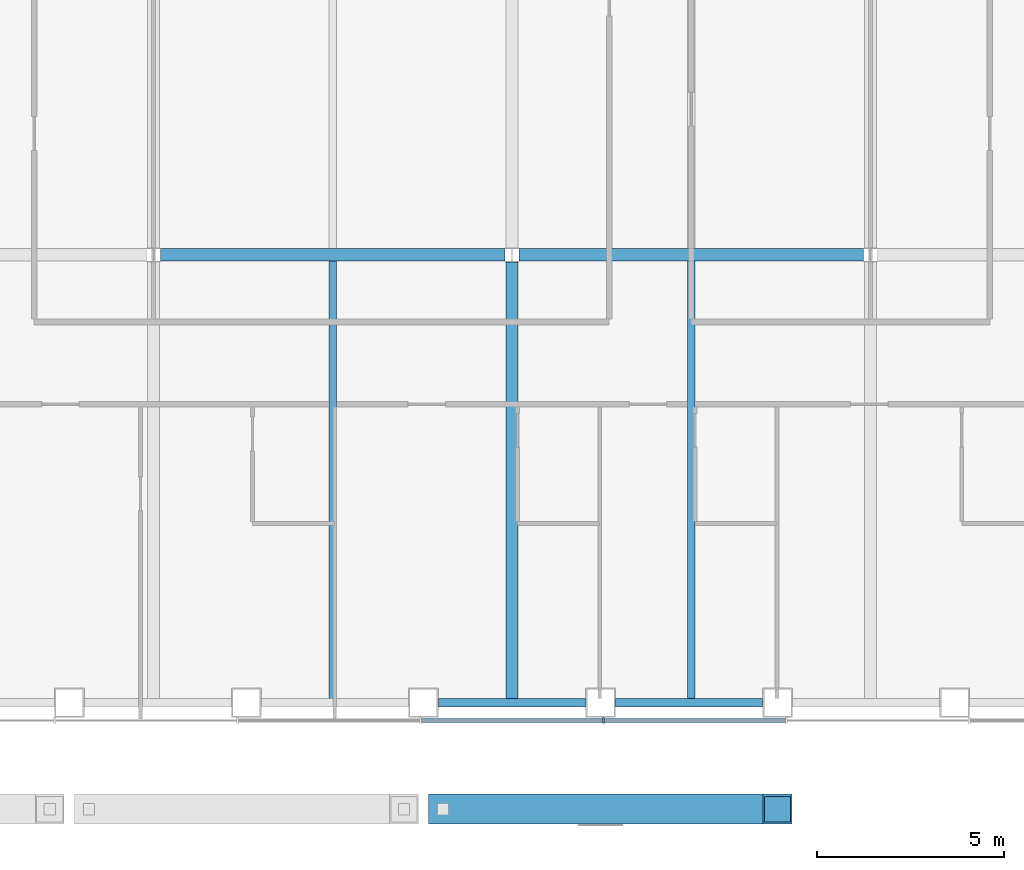
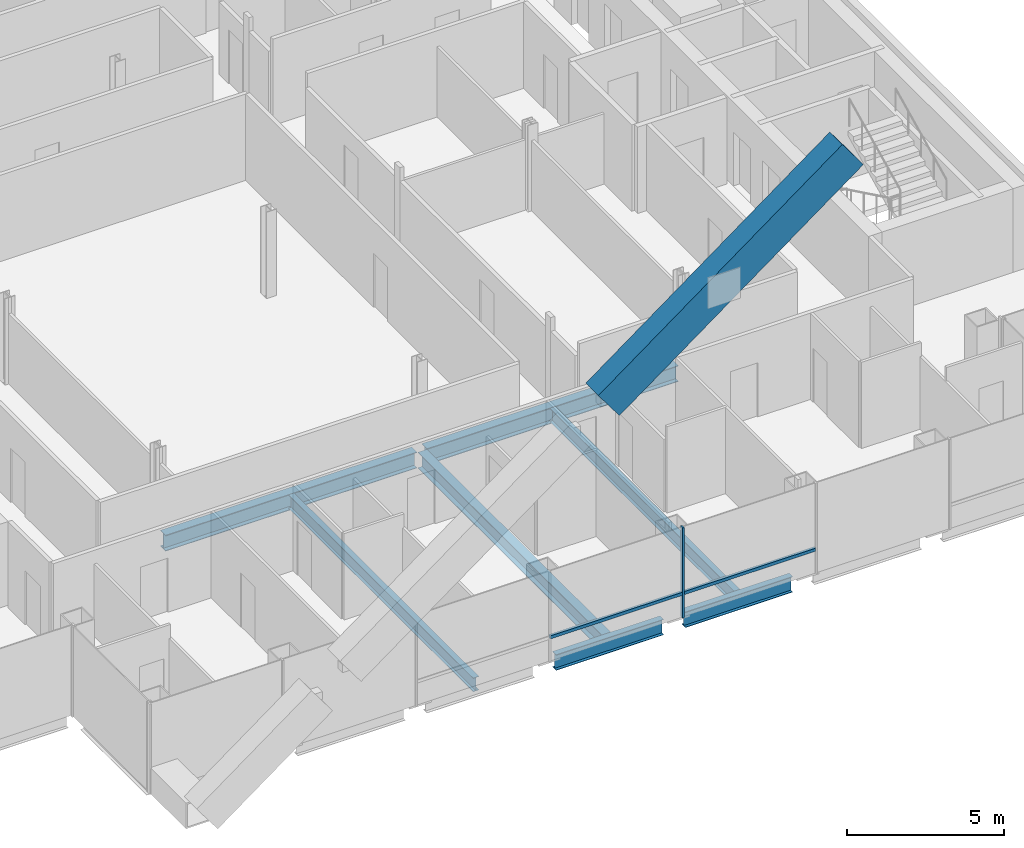
# One storey, part 4 of 18: 7 beams, 4 members, 1 element without a shape of its own.
"""IFC4 building model written with IfcOpenShell, lengths in metres."""

from ifc_helpers import new_model, si_unit, direction, frame, origin, origin_2d, place, context, subcontext, project, spatial, rectangle, hollow_rectangle, i_section, extrude, material, material_profile, profile_set, type_object, element, aggregate, save


model = new_model("IFC4")

# Units and contexts
model_context = context("Model", 3, precision=1e-05, world=origin(), true_north=direction((0.0, 1.0)))
body_context = subcontext(model_context, "Body", "Model", "MODEL_VIEW")
ifc_project = project(units=[si_unit("LENGTHUNIT", "METRE"), si_unit("AREAUNIT", "SQUARE_METRE"), si_unit("VOLUMEUNIT", "CUBIC_METRE"), si_unit("PLANEANGLEUNIT", "RADIAN"), si_unit("MASSUNIT", "GRAM", prefix="KILO")], contexts=[model_context])

# Site, building, storey
site_placement = place(None, origin())
site = spatial("IfcSite", under=ifc_project, at=site_placement, CompositionType="ELEMENT")
building_placement = place(site_placement, origin())
building = spatial("IfcBuilding", under=site, at=building_placement, Name="Cobrizo Arcos Hotel Tower", CompositionType="ELEMENT")
storey_placement = place(building_placement, frame((0.0, 0.0, 158.5)))
storey = spatial("IfcBuildingStorey", under=building, at=storey_placement, Name="L40", CompositionType="ELEMENT", Elevation=158.5)

# Member
ifc_material_1 = material(Name="Steel ASTM A572 Grade 50", Category="steel")
ifc_material_profile_1 = material_profile(ifc_material_1, hollow_rectangle(XDim=0.800048828125, YDim=1.300048828125, WallThickness=0.06005859375, at=origin_2d()), Name="BOX 800X1300X60")
ifc_profile_set_1 = profile_set([ifc_material_profile_1], Name="Steel ASTM A572 Grade 50")
member_type_1 = type_object("IfcMemberType", Name="BOX 800X1300X60 perimeter brace", PredefinedType="BRACE", material=ifc_profile_set_1)
member_1_placement = place(storey_placement, frame((-1.84814453125, -24.449951171875, 11.385986328125), z_axis=(0.804620954099, 0.0, 0.593788784186), x_axis=(0.0, 1.0, 0.0)))
element("IfcMember", 1, at=member_1_placement, inside=storey, type_object=member_type_1, Name="Perimeter brace PBR3, zone Z3, south face, no. 08c", PredefinedType="BRACE", context=body_context, shape_type="SweptSolid", body=[
    extrude(hollow_rectangle(XDim=0.800048828125, YDim=1.300048828125, WallThickness=0.06005859375, at=origin_2d()), origin(), (0.0, 0.0, 1.0), 11.138671875),
])

# Curtain wall, members
ifc_material_2 = material(Name="Aluminium 6063-T6 anodised bronze", Category="aluminium")
curtain_wall_type = type_object("IfcCurtainWallType", Name="CW-A guest facade", PredefinedType="NOTDEFINED", material=ifc_material_2)
curtain_wall_placement = place(storey_placement, origin())
curtain_wall = element("IfcCurtainWall", 2, at=curtain_wall_placement, inside=storey, type_object=curtain_wall_type, Name="CW-A L40 S face", PredefinedType="NOTDEFINED")
ifc_material_profile_2 = material_profile(ifc_material_2, rectangle(XDim=0.14990234375, YDim=0.06005859375, at=origin_2d()), Name="CW-A mullion 150x60")
ifc_profile_set_2 = profile_set([ifc_material_profile_2], Name="Aluminium 6063-T6 anodised bronze")
member_type_2 = type_object("IfcMemberType", Name="CW-A mullion 150x60", PredefinedType="MULLION", material=ifc_profile_set_2)
member_2_placement = place(storey_placement, frame((2.449951171875, -22.074951171875, 0.0), z_axis=(0.0, 0.0, 1.0), x_axis=(0.0, -1.0, 0.0)))
member_2 = element("IfcMember", 3, at=member_2_placement, type_object=member_type_2, Name="CW-A mullion 5", PredefinedType="MULLION", context=body_context, shape_type="SweptSolid", body=[
    extrude(rectangle(XDim=0.14990234375, YDim=0.06005859375, at=origin_2d()), origin(), (0.0, 0.0, 1.0), 3.5),
])
ifc_material_profile_3 = material_profile(ifc_material_2, rectangle(XDim=0.10009765625, YDim=0.1201171875, at=origin_2d()), Name="CW-A transom 120x100")
ifc_profile_set_3 = profile_set([ifc_material_profile_3], Name="Aluminium 6063-T6 anodised bronze")
member_type_3 = type_object("IfcMemberType", Name="CW-A transom 120x100", PredefinedType="USERDEFINED", material=ifc_profile_set_3)
member_3_placement = place(storey_placement, frame((-2.419921875, -22.074951171875, 0.929931640625), z_axis=(1.0, 0.0, 0.0), x_axis=(0.0, 1.0, 0.0)))
member_3 = element("IfcMember", 4, at=member_3_placement, type_object=member_type_3, Name="CW-A transom 1429", ObjectType="TRANSOM", PredefinedType="USERDEFINED", context=body_context, shape_type="SweptSolid", body=[
    extrude(rectangle(XDim=0.10009765625, YDim=0.1201171875, at=origin_2d()), origin(), (0.0, 0.0, 1.0), 4.83984375),
])
member_4_placement = place(storey_placement, frame((2.47998046875, -22.074951171875, 0.929931640625), z_axis=(1.0, 0.0, 0.0), x_axis=(0.0, 1.0, 0.0)))
member_4 = element("IfcMember", 5, at=member_4_placement, type_object=member_type_3, Name="CW-A transom 1430", ObjectType="TRANSOM", PredefinedType="USERDEFINED", context=body_context, shape_type="SweptSolid", body=[
    extrude(rectangle(XDim=0.10009765625, YDim=0.1201171875, at=origin_2d()), origin(), (0.0, 0.0, 1.0), 4.840087890625),
])
aggregate(curtain_wall, [member_2, member_3, member_4])

# Beams
ifc_material_3 = material(Name="Steel ASTM A992 Grade 50", Category="steel")
ifc_material_profile_4 = material_profile(ifc_material_3, i_section(OverallWidth=0.209228515625, OverallDepth=0.533447265625, WebThickness=0.01025390625, FlangeThickness=0.015625, at=origin_2d()), Name="W21X62")
ifc_profile_set_4 = profile_set([ifc_material_profile_4], Name="Steel ASTM A992 Grade 50")
beam_type_1 = type_object("IfcBeamType", Name="W21X62 joist", PredefinedType="JOIST", material=ifc_profile_set_4)
for number, where, z_axis, x_axis, name in (
    (6, (-4.800048828125, -21.510009765625, -0.416748046875), (0.0, 1.0, 0.0), (-1.0, 0.0, 0.0), "Floor joist J1, L40, no. 007"),
    (7, (4.800048828125, -21.510009765625, -0.416748046875), (0.0, 1.0, 0.0), (-1.0, 0.0, 0.0), "Floor joist J1, L40, no. 011"),
):
    element("IfcBeam", number, at=place(storey_placement, frame(where, z_axis=z_axis, x_axis=x_axis)), inside=storey, type_object=beam_type_1, Name=name, PredefinedType="JOIST", context=body_context, shape_type="SweptSolid", body=[
        extrude(i_section(OverallWidth=0.209228515625, OverallDepth=0.533447265625, WebThickness=0.01025390625, FlangeThickness=0.015625, at=origin_2d()), origin(), (0.0, 0.0, 1.0), 11.74609375),
    ])
ifc_material_profile_5 = material_profile(ifc_material_3, i_section(OverallWidth=0.32763671875, OverallDepth=0.622314453125, WebThickness=0.015380859375, FlangeThickness=0.0244140625, at=origin_2d()), Name="W24X131")
ifc_profile_set_5 = profile_set([ifc_material_profile_5], Name="Steel ASTM A992 Grade 50")
beam_type_2 = type_object("IfcBeamType", Name="W24X131 girder", PredefinedType="BEAM", material=ifc_profile_set_5)
for number, where, z_axis, x_axis, name in (
    (8, (-9.413330078125, -9.60009765625, -0.461181640625), (1.0, 0.0, 0.0), (0.0, 1.0, 0.0), "Floor girder G1, L40, no. 002"),
    (9, (0.186767578125, -9.60009765625, -0.461181640625), (1.0, 0.0, 0.0), (0.0, 1.0, 0.0), "Floor girder G1, L40, no. 003"),
):
    element("IfcBeam", number, at=place(storey_placement, frame(where, z_axis=z_axis, x_axis=x_axis)), inside=storey, type_object=beam_type_2, Name=name, PredefinedType="BEAM", context=body_context, shape_type="SweptSolid", body=[
        extrude(i_section(OverallWidth=0.32763671875, OverallDepth=0.622314453125, WebThickness=0.015380859375, FlangeThickness=0.0244140625, at=origin_2d()), origin(), (0.0, 0.0, 1.0), 9.2265625),
    ])
beam_1_placement = place(storey_placement, frame((0.0, -21.510009765625, -0.461181640625), z_axis=(0.0, 1.0, 0.0), x_axis=(-1.0, 0.0, 0.0)))
element("IfcBeam", 10, at=beam_1_placement, inside=storey, type_object=beam_type_2, Name="Floor girder G1, L40, no. 017", PredefinedType="BEAM", context=body_context, shape_type="SweptSolid", body=[
    extrude(i_section(OverallWidth=0.32763671875, OverallDepth=0.622314453125, WebThickness=0.015380859375, FlangeThickness=0.0244140625, at=origin_2d()), origin(), (0.0, 0.0, 1.0), 11.723388671875),
])
ifc_material_profile_6 = material_profile(ifc_material_3, i_section(OverallWidth=0.228271484375, OverallDepth=0.607177734375, WebThickness=0.01123046875, FlangeThickness=0.017333984375, at=origin_2d()), Name="W24X76")
ifc_profile_set_6 = profile_set([ifc_material_profile_6], Name="Steel ASTM A992 Grade 50")
beam_type_3 = type_object("IfcBeamType", Name="W24X76 spandrel", PredefinedType="SPANDREL", material=ifc_profile_set_6)
beam_2_placement = place(storey_placement, frame((-1.970947265625, -21.60009765625, -0.45361328125), z_axis=(1.0, 0.0, 0.0), x_axis=(0.0, 1.0, 0.0)))
element("IfcBeam", 11, at=beam_2_placement, inside=storey, type_object=beam_type_3, Name="Spandrel beam W24X76, L40, no. 004", PredefinedType="SPANDREL", context=body_context, shape_type="SweptSolid", body=[
    extrude(i_section(OverallWidth=0.228271484375, OverallDepth=0.607177734375, WebThickness=0.01123046875, FlangeThickness=0.017333984375, at=origin_2d()), origin(), (0.0, 0.0, 1.0), 3.94189453125),
])
beam_3_placement = place(storey_placement, frame((2.77099609375, -21.60009765625, -0.45361328125), z_axis=(1.0, 0.0, 0.0), x_axis=(0.0, 1.0, 0.0)))
element("IfcBeam", 12, at=beam_3_placement, inside=storey, type_object=beam_type_3, Name="Spandrel beam W24X76, L40, no. 005", PredefinedType="SPANDREL", context=body_context, shape_type="SweptSolid", body=[
    extrude(i_section(OverallWidth=0.228271484375, OverallDepth=0.607177734375, WebThickness=0.01123046875, FlangeThickness=0.017333984375, at=origin_2d()), origin(), (0.0, 0.0, 1.0), 3.943115234375),
])

save(model, "model.ifc")
